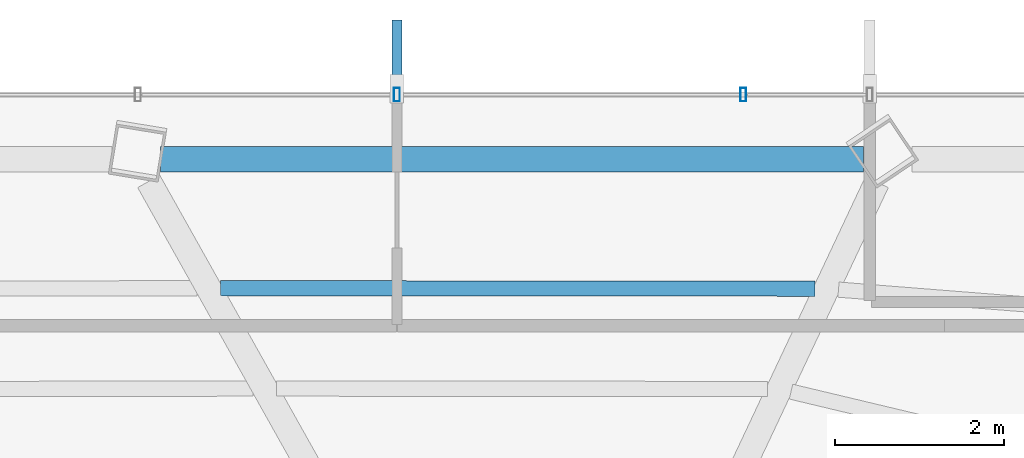
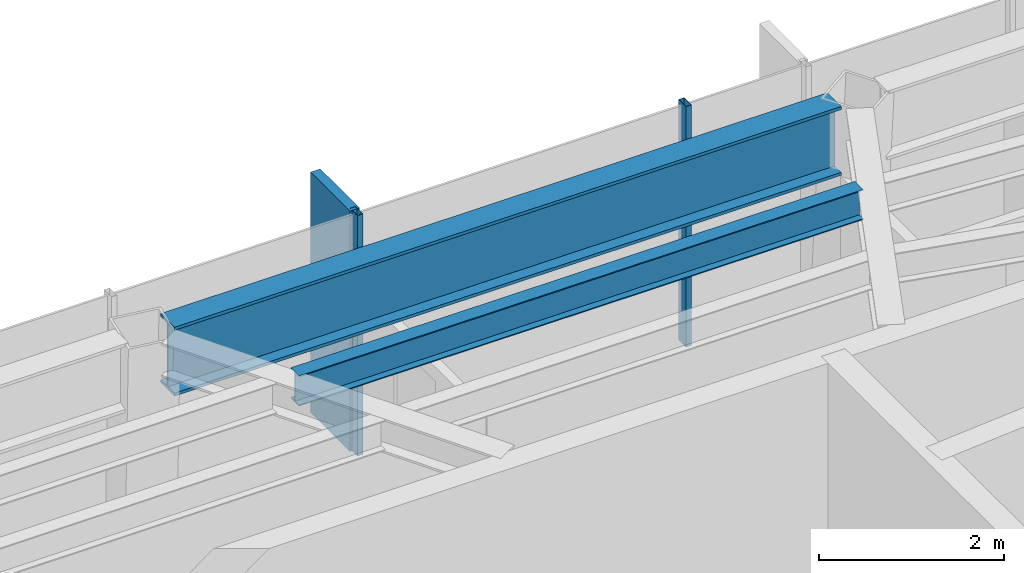
# One storey, part 16 of 27: 3 members, 2 beams, 1 element without a shape of its own.
"""IFC4 building model written with IfcOpenShell, lengths in metres."""

import ifcopenshell
import ifcopenshell.guid

model = None  # the IFC model being written
_history = None  # IfcOwnerHistory: only IFC2X3 demands one
_inside = {}  # id of a spatial element -> (the spatial element, [elements in it])
_under = {}  # id of a project, library or spatial element -> (it, [spatial elements below it])
_declared = {}  # id of a project -> (the project, [libraries it declares])
_typed = {}  # id of a type object -> (the type object, [elements of that type])
_made_of = {}  # id of a material, layer set ... -> (it, [elements and type objects made of it])


def new_model(schema):
    """Start an empty IFC model of exactly this schema.

    Asked for "IFC4X3", IfcOpenShell would pick the latest addendum, in which some entities
    have other attributes; the version numbers below select the first issue.
    IFC2X3 requires an IfcOwnerHistory on every rooted entity: one is made here for all.
    """
    global model, _history
    if schema == "IFC4X3":
        model = ifcopenshell.file(schema_version=(4, 3, 0, 0))
    else:
        model = ifcopenshell.file(schema=schema)
    _inside.clear()
    _under.clear()
    _declared.clear()
    _typed.clear()
    _made_of.clear()
    _history = None
    if model.schema == "IFC2X3":
        org = make("IfcOrganization", Name="unknown")
        user = make(
            "IfcPersonAndOrganization",
            ThePerson=make("IfcPerson", FamilyName="unknown"),
            TheOrganization=org,
        )
        app = make(
            "IfcApplication",
            ApplicationDeveloper=org,
            Version="unknown",
            ApplicationFullName="unknown",
            ApplicationIdentifier="unknown",
        )
        _history = make(
            "IfcOwnerHistory",
            OwningUser=user,
            OwningApplication=app,
            ChangeAction="ADDED",
            CreationDate=0,
        )
    return model


def make(cls, **values):
    """One entity of the class cls with the attributes given. An attribute that is None is left unset."""
    return model.create_entity(
        cls, **{name: value for name, value in values.items() if value is not None}
    )


def rooted(cls, **values):
    """An entity with a GlobalId (a new one), such as an element, a storey or a relation."""
    return make(cls, GlobalId=ifcopenshell.guid.new(), OwnerHistory=_history, **values)


def si_unit(unit_type, name, prefix=None):
    """IfcSIUnit, for example si_unit("LENGTHUNIT", "METRE", prefix="MILLI")."""
    return make("IfcSIUnit", UnitType=unit_type, Prefix=prefix, Name=name)


def assignment(units):
    """IfcUnitAssignment: the units of a project."""
    return None if units is None else make("IfcUnitAssignment", Units=units)


def point(xyz):
    """IfcCartesianPoint."""
    return None if xyz is None else make("IfcCartesianPoint", Coordinates=xyz)


def direction(xyz):
    """IfcDirection."""
    return None if xyz is None else make("IfcDirection", DirectionRatios=xyz)


def frame(location, z_axis=None, x_axis=None):
    """IfcAxis2Placement3D, a coordinate frame: its origin and axes. An axis left out is left unset."""
    return make(
        "IfcAxis2Placement3D",
        Location=point(location),
        Axis=direction(z_axis),
        RefDirection=direction(x_axis),
    )


def frame_2d(location, x_axis=None):
    """IfcAxis2Placement2D, a coordinate frame in the plane: its origin and x axis."""
    return make(
        "IfcAxis2Placement2D", Location=point(location), RefDirection=direction(x_axis)
    )


def origin():
    """The frame at (0, 0, 0) with its axes left unset."""
    return frame((0.0, 0.0, 0.0))


def origin_2d():
    """The frame at (0, 0) in the plane with its x axis left unset."""
    return frame_2d((0.0, 0.0))


def place(relative_to, where):
    """IfcLocalPlacement: puts the frame where relative to a parent placement (None: the world)."""
    return make(
        "IfcLocalPlacement", PlacementRelTo=relative_to, RelativePlacement=where
    )


def context(
    kind, dimensions, precision=None, world=None, true_north=None, identifier=None
):
    """IfcGeometricRepresentationContext, for example the 3D "Model" context."""
    return make(
        "IfcGeometricRepresentationContext",
        ContextIdentifier=identifier,
        ContextType=kind,
        CoordinateSpaceDimension=dimensions,
        Precision=precision,
        WorldCoordinateSystem=world,
        TrueNorth=true_north,
    )


def subcontext(parent, identifier, kind, view, scale=None):
    """IfcGeometricRepresentationSubContext, for example "Body" below "Model"."""
    return make(
        "IfcGeometricRepresentationSubContext",
        ContextIdentifier=identifier,
        ContextType=kind,
        ParentContext=parent,
        TargetScale=scale,
        TargetView=view,
    )


def project(units=None, contexts=None):
    """IfcProject with its units and contexts."""
    return rooted(
        "IfcProject",
        Name="project",
        RepresentationContexts=contexts,
        UnitsInContext=assignment(units),
    )


def spatial(cls, under=None, at=None, **own):
    """A site, building, storey or space (cls), placed at a placement, below another one or the project."""
    s = rooted(cls, ObjectPlacement=at, **own)
    if under is not None:
        _under.setdefault(under.id(), (under, []))[1].append(s)
    return s


def profile(cls, at=None, kind="AREA", **sizes):
    """A parametric profile (cls). Its sizes go by their IFC names, for example OverallWidth=200.0."""
    return make(cls, ProfileType=kind, Position=at, **sizes)


def rectangle(**sizes):
    """IfcRectangleProfileDef."""
    return profile("IfcRectangleProfileDef", **sizes)


def hollow_rectangle(**sizes):
    """IfcRectangleHollowProfileDef."""
    return profile("IfcRectangleHollowProfileDef", **sizes)


def i_section(**sizes):
    """IfcIShapeProfileDef."""
    return profile("IfcIShapeProfileDef", **sizes)


def extrude(swept, where, along, depth):
    """IfcExtrudedAreaSolid: the profile swept, set in the frame where, extruded along a direction by depth."""
    return make(
        "IfcExtrudedAreaSolid",
        SweptArea=swept,
        Position=where,
        ExtrudedDirection=direction(along),
        Depth=depth,
    )


def shape(context_of_items, identifier, shape_type, items):
    """IfcShapeRepresentation: the items that make up one representation, for example the "Body"."""
    return make(
        "IfcShapeRepresentation",
        ContextOfItems=context_of_items,
        RepresentationIdentifier=identifier,
        RepresentationType=shape_type,
        Items=items,
    )


def material(Name=None, Category=None):
    """IfcMaterial."""
    return make("IfcMaterial", Name=Name, Category=Category)


def layer(
    of_material, thickness, ventilated=None, Name=None, Category=None, Priority=None
):
    """IfcMaterialLayer: one layer of a wall or slab, of a material (None: an air gap)."""
    return make(
        "IfcMaterialLayer",
        Material=of_material,
        LayerThickness=thickness,
        IsVentilated=ventilated,
        Name=Name,
        Category=Category,
        Priority=Priority,
    )


def layer_set(layers, Name=None):
    """IfcMaterialLayerSet."""
    return make("IfcMaterialLayerSet", MaterialLayers=layers, LayerSetName=Name)


def material_profile(
    of_material, cross_section, Name=None, Category=None, Priority=None
):
    """IfcMaterialProfile: a cross section and its material."""
    return make(
        "IfcMaterialProfile",
        Name=Name,
        Material=of_material,
        Profile=cross_section,
        Priority=Priority,
        Category=Category,
    )


def profile_set(profiles, Name=None, composite=None):
    """IfcMaterialProfileSet."""
    return make(
        "IfcMaterialProfileSet",
        Name=Name,
        MaterialProfiles=profiles,
        CompositeProfile=composite,
    )


def made_of(thing, what):
    """Note that an element or type object is made of a material, layer set ...; save() writes the relation."""
    if what is not None:
        _made_of.setdefault(what.id(), (what, []))[1].append(thing)
    return thing


def type_object(cls, material=None, **own):
    """A type object (cls), such as IfcWallType, which elements share."""
    return made_of(rooted(cls, **own), material)


def element(
    cls,
    number,
    at=None,
    inside=None,
    cuts=None,
    type_object=None,
    material=None,
    context=None,
    identifier="Body",
    shape_type=None,
    held_by="IfcProductDefinitionShape",
    body=None,
    shapes=None,
    **own,
):
    """One element of the class cls, such as IfcWall. Its Tag is "e" and its number.

    at: its placement. inside: the storey or other place that contains it. cuts: it is an
    opening in that element (IfcRelVoidsElement). A single representation is given by context,
    identifier, shape_type and body (its items); several are given by shapes. held_by: the class
    of the entity that holds the representations. save() writes the other relations.
    """
    e = rooted(cls, Tag="e%d" % number, ObjectPlacement=at, **own)
    if body is not None:
        shapes = [shape(context, identifier, shape_type, body)]
    if shapes is not None:
        e.Representation = make(held_by, Representations=shapes)
    if inside is not None:
        _inside.setdefault(inside.id(), (inside, []))[1].append(e)
    if cuts is not None:
        rooted(
            "IfcRelVoidsElement", RelatingBuildingElement=cuts, RelatedOpeningElement=e
        )
    if type_object is not None:
        _typed.setdefault(type_object.id(), (type_object, []))[1].append(e)
    return made_of(e, material)


def aggregate(whole, parts):
    """IfcRelAggregates: a whole, such as a stair, and the parts it consists of."""
    return rooted("IfcRelAggregates", RelatingObject=whole, RelatedObjects=parts)


def save(model, path):
    """Write the relations noted so far, then the file.

    IfcRelAggregates (storeys below a building ...), IfcRelContainedInSpatialStructure (elements
    in a storey), IfcRelDefinesByType, IfcRelAssociatesMaterial and IfcRelDeclares: one each for
    every whole, place, type object, material and project.
    """
    for whole, parts in _under.values():
        aggregate(whole, parts)
    for where, things in _inside.values():
        rooted(
            "IfcRelContainedInSpatialStructure",
            RelatedElements=things,
            RelatingStructure=where,
        )
    for kind, things in _typed.values():
        rooted("IfcRelDefinesByType", RelatedObjects=things, RelatingType=kind)
    for what, things in _made_of.values():
        rooted("IfcRelAssociatesMaterial", RelatedObjects=things, RelatingMaterial=what)
    for by, libraries in _declared.values():
        rooted("IfcRelDeclares", RelatingContext=by, RelatedDefinitions=libraries)
    model.write(path)


model = new_model("IFC4")

# Units and contexts
model_context = context("Model", 3, precision=1e-05, world=origin(), true_north=direction((0.0, 1.0)))
body_context = subcontext(model_context, "Body", "Model", "MODEL_VIEW")
ifc_project = project(units=[si_unit("LENGTHUNIT", "METRE"), si_unit("AREAUNIT", "SQUARE_METRE"), si_unit("VOLUMEUNIT", "CUBIC_METRE"), si_unit("PLANEANGLEUNIT", "RADIAN"), si_unit("MASSUNIT", "GRAM", prefix="KILO")], contexts=[model_context])

# Site, building, storey
site_placement = place(None, origin())
site = spatial("IfcSite", under=ifc_project, at=site_placement, CompositionType="ELEMENT")
building_placement = place(site_placement, origin())
building = spatial("IfcBuilding", under=site, at=building_placement, Name="Zarrinselat Tower", CompositionType="ELEMENT")
storey_placement = place(building_placement, frame((0.0, 0.0, 225.760009765625)))
storey = spatial("IfcBuildingStorey", under=building, at=storey_placement, Name="L56", CompositionType="ELEMENT", Elevation=225.760009765625)

# Beams
ifc_material_1 = material(Name="Steel S460M", Category="steel")
ifc_material_profile_1 = material_profile(ifc_material_1, i_section(OverallWidth=0.302001953125, OverallDepth=0.909912109375, WebThickness=0.02099609375, FlangeThickness=0.0400390625, at=origin_2d()), Name="HEM 900")
ifc_profile_set_1 = profile_set([ifc_material_profile_1], Name="Steel S460M")
beam_type_1 = type_object("IfcBeamType", Name="BM-HEM900", PredefinedType="BEAM", material=ifc_profile_set_1)
beam_1_placement = place(storey_placement, frame((39.051513671875, 47.52783203125, 2.72509765625), z_axis=(1.0, 0.0, 0.0), x_axis=(0.0, 1.0, 0.0)))
element("IfcBeam", 1, at=beam_1_placement, inside=storey, type_object=beam_type_1, Name="L56 Perimeter Spandrel Girder SP02", PredefinedType="BEAM", context=body_context, shape_type="SweptSolid", body=[
    extrude(i_section(OverallWidth=0.302001953125, OverallDepth=0.909912109375, WebThickness=0.02099609375, FlangeThickness=0.0400390625, at=origin_2d()), origin(), (0.0, 0.0, 1.0), 8.33837890625),
])
ifc_material_2 = material(Name="Steel S355J2", Category="steel")
ifc_material_profile_2 = material_profile(ifc_material_2, i_section(OverallWidth=0.179931640625, OverallDepth=0.39990234375, WebThickness=0.008544921875, FlangeThickness=0.013427734375, at=origin_2d()), Name="IPE 400")
ifc_profile_set_2 = profile_set([ifc_material_profile_2], Name="Steel S355J2")
beam_type_2 = type_object("IfcBeamType", Name="BM-IPE400", PredefinedType="JOIST", material=ifc_profile_set_2)
beam_2_placement = place(storey_placement, frame((39.76123046875, 45.998046875, 2.97998046875), z_axis=(0.999999595031, -0.000899965021, 0.0), x_axis=(0.000899965021, 0.999999595031, 0.0)))
element("IfcBeam", 2, at=beam_2_placement, inside=storey, type_object=beam_type_2, Name="L56 Composite Floor Joist 7-1", PredefinedType="JOIST", context=body_context, shape_type="SweptSolid", body=[
    extrude(i_section(OverallWidth=0.179931640625, OverallDepth=0.39990234375, WebThickness=0.008544921875, FlangeThickness=0.013427734375, at=origin_2d()), origin(), (0.0, 0.0, 1.0), 7.05322265625),
])

# Curtain wall, members
ifc_material_3 = material(Name="Extruded Aluminium Alloy EN AW-6063 T6", Category="aluminium")
ifc_layer = layer(ifc_material_3, 0.169921875)
ifc_layer_set = layer_set([ifc_layer], Name="Extruded Aluminium Alloy EN AW-6063 T6")
curtain_wall_type = type_object("IfcCurtainWallType", Name="CWS-RES", PredefinedType="NOTDEFINED", material=ifc_layer_set)
curtain_wall_placement = place(storey_placement, origin())
curtain_wall = element("IfcCurtainWall", 3, at=curtain_wall_placement, inside=storey, type_object=curtain_wall_type, Name="L56 Unitised Curtain Wall CW-L56-E01", PredefinedType="NOTDEFINED")
ifc_material_4 = material(Name="Extruded Aluminium Alloy EN AW-6063 T6", Category="aluminium")
ifc_material_profile_3 = material_profile(ifc_material_4, hollow_rectangle(XDim=0.070068359375, YDim=0.159912109375, WallThickness=0.00390625, at=origin_2d()), Name="RHS 160x70x4")
ifc_profile_set_3 = profile_set([ifc_material_profile_3], Name="Extruded Aluminium Alloy EN AW-6063 T6")
member_type_1 = type_object("IfcMemberType", Name="MEM-CW-MUL2", PredefinedType="MULLION", material=ifc_profile_set_3)
member_1_placement = place(storey_placement, frame((45.965087890625, 48.29443359375, 0.0), z_axis=(0.0, 0.0, 1.0), x_axis=(-1.0, 0.0, 0.0)))
member_1 = element("IfcMember", 4, at=member_1_placement, type_object=member_type_1, Name="CW-L56-E01 Mullion 4", PredefinedType="MULLION", context=body_context, shape_type="SweptSolid", body=[
    extrude(hollow_rectangle(XDim=0.070068359375, YDim=0.159912109375, WallThickness=0.00390625, at=origin_2d()), origin(), (0.0, 0.0, 1.0), 3.179931640625),
])
member_2_placement = place(storey_placement, frame((41.855224609375, 48.29443359375, 0.0), z_axis=(0.0, 0.0, 1.0), x_axis=(-1.0, 0.0, 0.0)))
member_2 = element("IfcMember", 5, at=member_2_placement, type_object=member_type_1, Name="CW-L56-E01 Mullion 5", PredefinedType="MULLION", context=body_context, shape_type="SweptSolid", body=[
    extrude(hollow_rectangle(XDim=0.070068359375, YDim=0.159912109375, WallThickness=0.00390625, at=origin_2d()), origin(), (0.0, 0.0, 1.0), 3.179931640625),
])
ifc_material_5 = material(Name="Honed Cream Travertine Stone", Category="masonry")
ifc_material_profile_4 = material_profile(ifc_material_5, rectangle(XDim=0.1201171875, YDim=0.85009765625, at=origin_2d()), Name="FIN 850x120")
ifc_profile_set_4 = profile_set([ifc_material_profile_4], Name="Honed Cream Travertine Stone")
member_type_2 = type_object("IfcMemberType", Name="MEM-STONE-FIN", PredefinedType="USERDEFINED", material=ifc_profile_set_4)
member_3_placement = place(storey_placement, frame((41.855224609375, 48.75439453125, 0.0), z_axis=(0.0, 0.0, 1.0), x_axis=(1.0, 0.0, 0.0)))
member_3 = element("IfcMember", 6, at=member_3_placement, type_object=member_type_2, Name="L56 Stone Shading Fin CW-L56-E01-05", ObjectType="FIN", PredefinedType="USERDEFINED", context=body_context, shape_type="SweptSolid", body=[
    extrude(rectangle(XDim=0.1201171875, YDim=0.85009765625, at=origin_2d()), origin(), (0.0, 0.0, 1.0), 3.179931640625),
])
aggregate(curtain_wall, [member_1, member_2, member_3])

save(model, "model.ifc")
